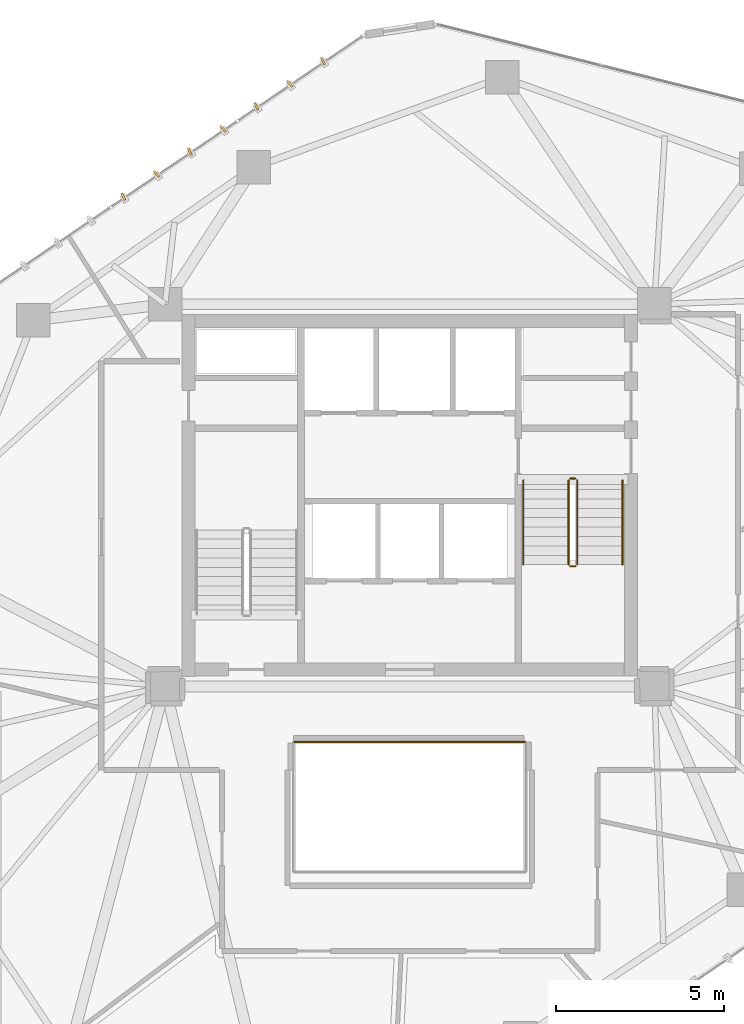
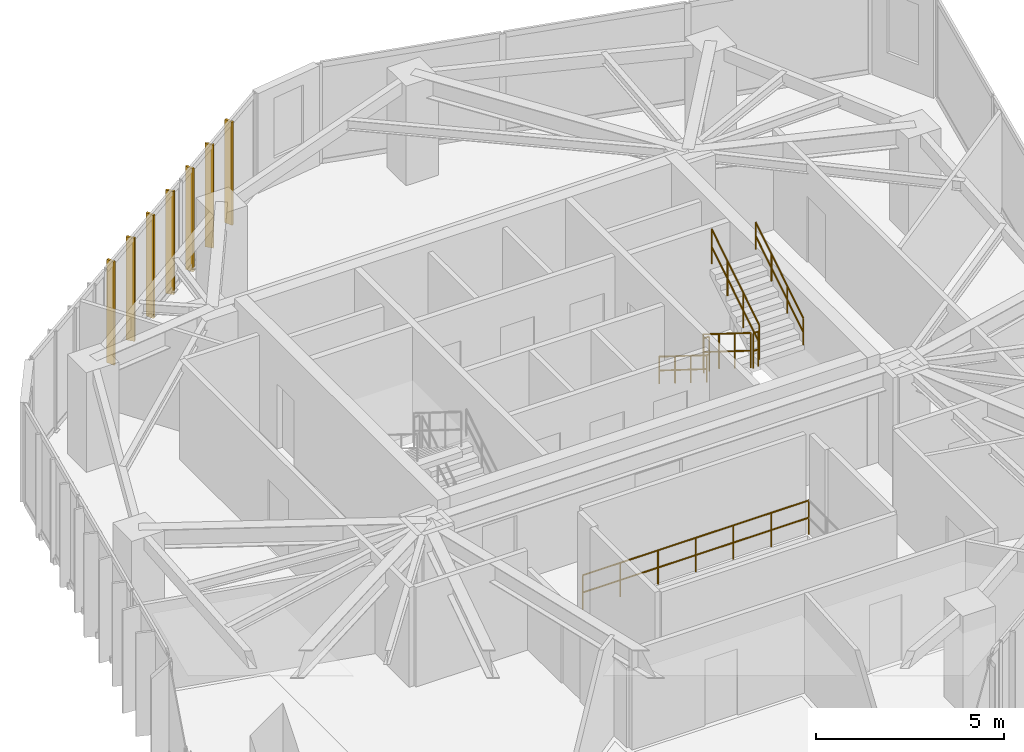
# One storey, part 20 of 20: 7 railings, 7 shading devices.
"""IFC4 building model written with IfcOpenShell, lengths in metres."""

from ifc_helpers import new_model, si_unit, direction, frame, origin, origin_2d, place, context, subcontext, project, spatial, rectangle, circle, extrude, source, transform, mapped, material, layer, layer_set, type_object, type_shapes, element, save


model = new_model("IFC4")

# Units and contexts
model_context = context("Model", 3, precision=1e-05, world=origin(), true_north=direction((0.0, 1.0)))
body_context = subcontext(model_context, "Body", "Model", "MODEL_VIEW")
ifc_project = project(units=[si_unit("LENGTHUNIT", "METRE"), si_unit("AREAUNIT", "SQUARE_METRE"), si_unit("VOLUMEUNIT", "CUBIC_METRE"), si_unit("PLANEANGLEUNIT", "RADIAN"), si_unit("MASSUNIT", "GRAM", prefix="KILO")], contexts=[model_context])

# Site, building, storey
site_placement = place(None, origin())
site = spatial("IfcSite", under=ifc_project, at=site_placement, CompositionType="ELEMENT")
building_placement = place(site_placement, origin())
building = spatial("IfcBuilding", under=site, at=building_placement, Name="Talar Marvaseh", CompositionType="ELEMENT")
storey_placement = place(building_placement, frame((0.0, 0.0, 191.5)))
storey = spatial("IfcBuildingStorey", under=building, at=storey_placement, Name="L50", CompositionType="ELEMENT", Elevation=191.5)

# Railings
ifc_material_1 = material(Name="Stainless Steel Grade 316", Category="steel")
railing_type_1 = type_object("IfcRailingType", Name="Brushed Stainless Wall Pitch Handrail 900", PredefinedType="HANDRAIL", material=ifc_material_1)
railing_1_placement = place(storey_placement, frame((29.389892578125, 31.64990234375, 0.175048828125)))
element("IfcRailing", 1, at=railing_1_placement, inside=storey, type_object=railing_type_1, Name="L50 ST-2 stair handrail 1", PredefinedType="HANDRAIL", context=body_context, shape_type="SweptSolid", body=[
    extrude(circle(Radius=0.02392578125, at=origin_2d()), frame((0.0, 0.0, 0.8759765625), z_axis=(0.0, -0.848007534815, 0.529984170421), x_axis=(1.0, 0.0, 0.0)), (0.0, 0.0, 1.0), 2.9716796875),
    extrude(circle(Radius=0.02392578125, at=origin_2d()), frame((0.0, 0.0, 0.42578125), z_axis=(0.0, -0.848007534815, 0.529984170421), x_axis=(1.0, 0.0, 0.0)), (0.0, 0.0, 1.0), 2.9716796875),
    extrude(circle(Radius=0.02099609375, at=origin_2d()), origin(), (0.0, 0.0, 1.0), 0.851806640625),
    extrude(circle(Radius=0.02099609375, at=origin_2d()), frame((0.0, -0.840087890625, 0.52490234375)), (0.0, 0.0, 1.0), 0.851806640625),
    extrude(circle(Radius=0.02099609375, at=origin_2d()), frame((0.0, -1.679931640625, 1.050048828125)), (0.0, 0.0, 1.0), 0.851806640625),
    extrude(circle(Radius=0.02099609375, at=origin_2d()), frame((0.0, -2.52001953125, 1.574951171875)), (0.0, 0.0, 1.0), 0.851806640625),
])
railing_2_placement = place(storey_placement, frame((32.35009765625, 29.1298828125, 1.925048828125)))
element("IfcRailing", 2, at=railing_2_placement, inside=storey, type_object=railing_type_1, Name="L50 ST-2 stair handrail 2", PredefinedType="HANDRAIL", context=body_context, shape_type="SweptSolid", body=[
    extrude(circle(Radius=0.02392578125, at=origin_2d()), frame((0.0, 0.0, 0.8759765625), z_axis=(0.0, 0.848007534815, 0.529984170421), x_axis=(-1.0, 0.0, 0.0)), (0.0, 0.0, 1.0), 2.9716796875),
    extrude(circle(Radius=0.02392578125, at=origin_2d()), frame((0.0, 0.0, 0.42578125), z_axis=(0.0, 0.848007534815, 0.529984170421), x_axis=(-1.0, 0.0, 0.0)), (0.0, 0.0, 1.0), 2.9716796875),
    extrude(circle(Radius=0.02099609375, at=origin_2d()), origin(), (0.0, 0.0, 1.0), 0.851806640625),
    extrude(circle(Radius=0.02099609375, at=origin_2d()), frame((0.0, 0.840087890625, 0.52490234375)), (0.0, 0.0, 1.0), 0.851806640625),
    extrude(circle(Radius=0.02099609375, at=origin_2d()), frame((0.0, 1.679931640625, 1.050048828125)), (0.0, 0.0, 1.0), 0.851806640625),
    extrude(circle(Radius=0.02099609375, at=origin_2d()), frame((0.0, 2.52001953125, 1.574951171875)), (0.0, 0.0, 1.0), 0.851806640625),
])
ifc_material_2 = material(Name="Tempered Clear Glass", Category="glass")
railing_type_2 = type_object("IfcRailingType", Name="Interior Atrium Edge Balustrade 1120", PredefinedType="BALUSTRADE", material=ifc_material_2)
railing_3_placement = place(storey_placement, frame((29.4697265625, 23.839111328125, 0.0)))
element("IfcRailing", 3, at=railing_3_placement, inside=storey, type_object=railing_type_2, Name="L50 Internal Daylight Atrium Balustrade 3", PredefinedType="BALUSTRADE", context=body_context, shape_type="SweptSolid", body=[
    extrude(circle(Radius=0.02392578125, at=origin_2d()), frame((0.0, 0.0, 1.09619140625), z_axis=(-1.0, 0.0, 0.0), x_axis=(0.0, -1.0, 0.0)), (0.0, 0.0, 1.0), 6.939453125),
    extrude(circle(Radius=0.02392578125, at=origin_2d()), frame((0.0, 0.0, 0.5361328125), z_axis=(-1.0, 0.0, 0.0), x_axis=(0.0, -1.0, 0.0)), (0.0, 0.0, 1.0), 6.939453125),
    extrude(circle(Radius=0.02099609375, at=origin_2d()), origin(), (0.0, 0.0, 1.0), 1.072021484375),
    extrude(circle(Radius=0.02099609375, at=origin_2d()), frame((-1.156494140625, 0.0, 0.0)), (0.0, 0.0, 1.0), 1.072021484375),
    extrude(circle(Radius=0.02099609375, at=origin_2d()), frame((-2.313232421875, 0.0, 0.0)), (0.0, 0.0, 1.0), 1.072021484375),
    extrude(circle(Radius=0.02099609375, at=origin_2d()), frame((-3.4697265625, 0.0, 0.0)), (0.0, 0.0, 1.0), 1.072021484375),
    extrude(circle(Radius=0.02099609375, at=origin_2d()), frame((-4.626220703125, 0.0, 0.0)), (0.0, 0.0, 1.0), 1.072021484375),
    extrude(circle(Radius=0.02099609375, at=origin_2d()), frame((-5.782958984375, 0.0, 0.0)), (0.0, 0.0, 1.0), 1.072021484375),
    extrude(circle(Radius=0.02099609375, at=origin_2d()), frame((-6.939453125, 0.0, 0.0)), (0.0, 0.0, 1.0), 1.072021484375),
])
railing_type_3 = type_object("IfcRailingType", Name="Painted Steel Core Stair Well Guardrail 1150", PredefinedType="GUARDRAIL", material=ifc_material_1)
railing_4_placement = place(storey_placement, frame((30.739990234375, 31.64990234375, 0.175048828125)))
element("IfcRailing", 4, at=railing_4_placement, inside=storey, type_object=railing_type_3, Name="L50 ST-2 stair guard 1", PredefinedType="GUARDRAIL", context=body_context, shape_type="SweptSolid", body=[
    extrude(circle(Radius=0.02392578125, at=origin_2d()), frame((0.0, 0.0, 1.1259765625), z_axis=(0.0, -0.848007534815, 0.529984170421), x_axis=(1.0, 0.0, 0.0)), (0.0, 0.0, 1.0), 2.9716796875),
    extrude(circle(Radius=0.02392578125, at=origin_2d()), frame((0.0, 0.0, 0.55078125), z_axis=(0.0, -0.848007534815, 0.529984170421), x_axis=(1.0, 0.0, 0.0)), (0.0, 0.0, 1.0), 2.9716796875),
    extrude(circle(Radius=0.02099609375, at=origin_2d()), origin(), (0.0, 0.0, 1.0), 1.101806640625),
    extrude(circle(Radius=0.02099609375, at=origin_2d()), frame((0.0, -0.840087890625, 0.52490234375)), (0.0, 0.0, 1.0), 1.101806640625),
    extrude(circle(Radius=0.02099609375, at=origin_2d()), frame((0.0, -1.679931640625, 1.050048828125)), (0.0, 0.0, 1.0), 1.101806640625),
    extrude(circle(Radius=0.02099609375, at=origin_2d()), frame((0.0, -2.52001953125, 1.574951171875)), (0.0, 0.0, 1.0), 1.101806640625),
])
railing_5_placement = place(storey_placement, frame((30.7900390625, 29.080078125, 1.75)))
element("IfcRailing", 5, at=railing_5_placement, inside=storey, type_object=railing_type_3, Name="L50 ST-2 stair guard 2", PredefinedType="GUARDRAIL", context=body_context, shape_type="SweptSolid", body=[
    extrude(circle(Radius=0.02392578125, at=origin_2d()), frame((0.0, 0.0, 1.1259765625), z_axis=(1.0, 0.0, 0.0), x_axis=(0.0, 1.0, 0.0)), (0.0, 0.0, 1.0), 0.159912109375),
    extrude(circle(Radius=0.02392578125, at=origin_2d()), frame((0.0, 0.0, 0.55078125), z_axis=(1.0, 0.0, 0.0), x_axis=(0.0, 1.0, 0.0)), (0.0, 0.0, 1.0), 0.159912109375),
    extrude(circle(Radius=0.02099609375, at=origin_2d()), origin(), (0.0, 0.0, 1.0), 1.101806640625),
    extrude(circle(Radius=0.02099609375, at=origin_2d()), frame((0.159912109375, 0.0, 0.0)), (0.0, 0.0, 1.0), 1.101806640625),
])
railing_6_placement = place(storey_placement, frame((31.0, 29.1298828125, 1.925048828125)))
element("IfcRailing", 6, at=railing_6_placement, inside=storey, type_object=railing_type_3, Name="L50 ST-2 stair guard 3", PredefinedType="GUARDRAIL", context=body_context, shape_type="SweptSolid", body=[
    extrude(circle(Radius=0.02392578125, at=origin_2d()), frame((0.0, 0.0, 1.1259765625), z_axis=(0.0, 0.848007534815, 0.529984170421), x_axis=(-1.0, 0.0, 0.0)), (0.0, 0.0, 1.0), 2.9716796875),
    extrude(circle(Radius=0.02392578125, at=origin_2d()), frame((0.0, 0.0, 0.55078125), z_axis=(0.0, 0.848007534815, 0.529984170421), x_axis=(-1.0, 0.0, 0.0)), (0.0, 0.0, 1.0), 2.9716796875),
    extrude(circle(Radius=0.02099609375, at=origin_2d()), origin(), (0.0, 0.0, 1.0), 1.101806640625),
    extrude(circle(Radius=0.02099609375, at=origin_2d()), frame((0.0, 0.840087890625, 0.52490234375)), (0.0, 0.0, 1.0), 1.101806640625),
    extrude(circle(Radius=0.02099609375, at=origin_2d()), frame((0.0, 1.679931640625, 1.050048828125)), (0.0, 0.0, 1.0), 1.101806640625),
    extrude(circle(Radius=0.02099609375, at=origin_2d()), frame((0.0, 2.52001953125, 1.574951171875)), (0.0, 0.0, 1.0), 1.101806640625),
])
railing_7_placement = place(storey_placement, frame((30.7900390625, 31.699951171875, 0.0)))
element("IfcRailing", 7, at=railing_7_placement, inside=storey, type_object=railing_type_3, Name="L50 ST-2 stair guard 4", PredefinedType="GUARDRAIL", context=body_context, shape_type="SweptSolid", body=[
    extrude(circle(Radius=0.02392578125, at=origin_2d()), frame((0.0, 0.0, 1.1259765625), z_axis=(1.0, 0.0, 0.0), x_axis=(0.0, 1.0, 0.0)), (0.0, 0.0, 1.0), 0.159912109375),
    extrude(circle(Radius=0.02392578125, at=origin_2d()), frame((0.0, 0.0, 0.55078125), z_axis=(1.0, 0.0, 0.0), x_axis=(0.0, 1.0, 0.0)), (0.0, 0.0, 1.0), 0.159912109375),
    extrude(circle(Radius=0.02099609375, at=origin_2d()), origin(), (0.0, 0.0, 1.0), 1.101806640625),
    extrude(circle(Radius=0.02099609375, at=origin_2d()), frame((0.159912109375, 0.0, 0.0)), (0.0, 0.0, 1.0), 1.101806640625),
])

# Shading devices
ifc_material_3 = material(Name="Anodised Champagne Bronze Aluminium", Category="aluminium")
ifc_layer = layer(ifc_material_3, 0.06494140625)
ifc_layer_set = layer_set([ifc_layer], Name="Anodised Champagne Bronze Aluminium")
shading_device_type = type_object("IfcShadingDeviceType", Name="Sawtooth Champagne Bronze Vertical Fin 240", PredefinedType="USERDEFINED", material=ifc_layer_set)
shared_shape = source(origin(), body_context, "Body", "SweptSolid", [
    extrude(rectangle(XDim=0.239990234375, YDim=0.06494140625, at=origin_2d()), origin(), (0.0, 0.0, 1.0), 3.35009765625),
])
type_shapes(shading_device_type, [shared_shape])
for number, where, z_axis, x_axis, name in (
    (8, (17.455322265625, 40.107666015625, -0.1201171875), (0.0, 0.0, 1.0), (-0.441192623644, 0.897412429623, 0.0), "L50 Sawtooth Vertical Solar Fin"),
    (9, (18.447998046875, 40.781982421875, -0.1201171875), (0.0, 0.0, 1.0), (-0.671461958818, 0.741039025868, 0.0), "L50 Sawtooth Vertical Solar Fin"),
    (10, (19.440673828125, 41.4560546875, -0.1201171875), (0.0, 0.0, 1.0), (-0.441192623644, 0.897412429623, 0.0), "L50 Sawtooth Vertical Solar Fin"),
    (11, (20.433349609375, 42.13037109375, -0.1201171875), (0.0, 0.0, 1.0), (-0.671461958818, 0.741039025868, 0.0), "L50 Sawtooth Vertical Solar Fin"),
    (12, (21.426025390625, 42.804443359375, -0.1201171875), (0.0, 0.0, 1.0), (-0.441192623644, 0.897412429623, 0.0), "L50 Sawtooth Vertical Solar Fin"),
    (13, (22.418701171875, 43.478759765625, -0.1201171875), (0.0, 0.0, 1.0), (-0.671461958818, 0.741039025868, 0.0), "L50 Sawtooth Vertical Solar Fin"),
    (14, (23.41162109375, 44.15283203125, -0.1201171875), (0.0, 0.0, 1.0), (-0.441192623644, 0.897412429623, 0.0), "L50 Sawtooth Vertical Solar Fin"),
):
    element("IfcShadingDevice", number, at=place(storey_placement, frame(where, z_axis=z_axis, x_axis=x_axis)), inside=storey, type_object=shading_device_type, Name=name, ObjectType="FIN", PredefinedType="USERDEFINED", context=body_context, shape_type="MappedRepresentation", body=[
        mapped(shared_shape, transform((0.0, 0.0, 0.0), x_axis=(1.0, 0.0, 0.0), y_axis=(0.0, 1.0, 0.0), z_axis=(0.0, 0.0, 1.0), scale=1.0)),
    ])

save(model, "model.ifc")
